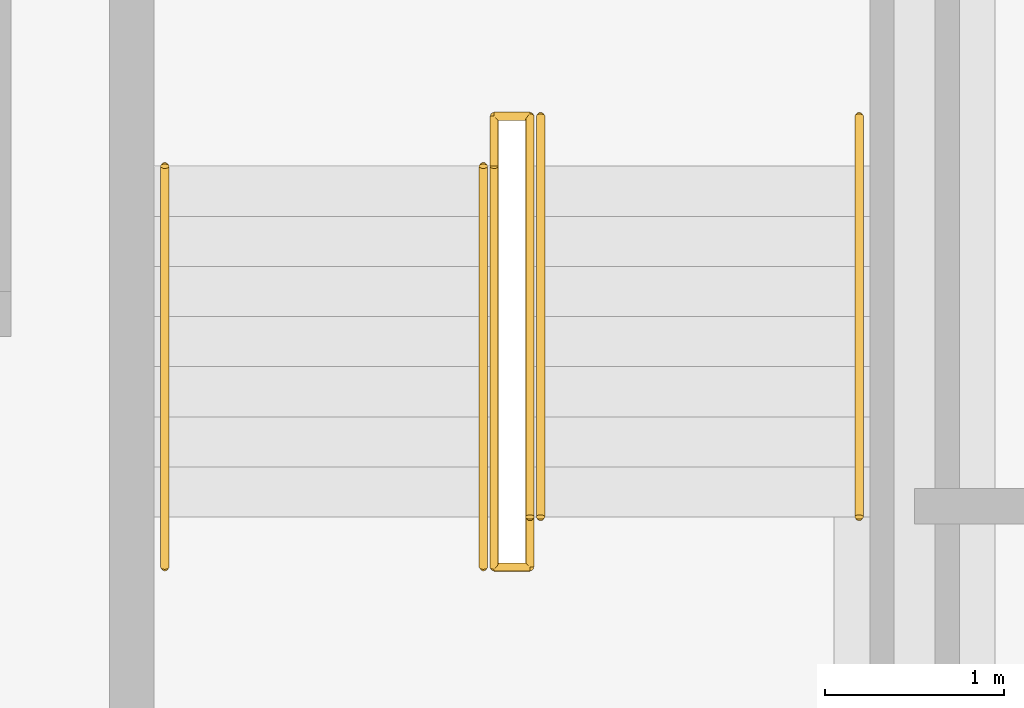
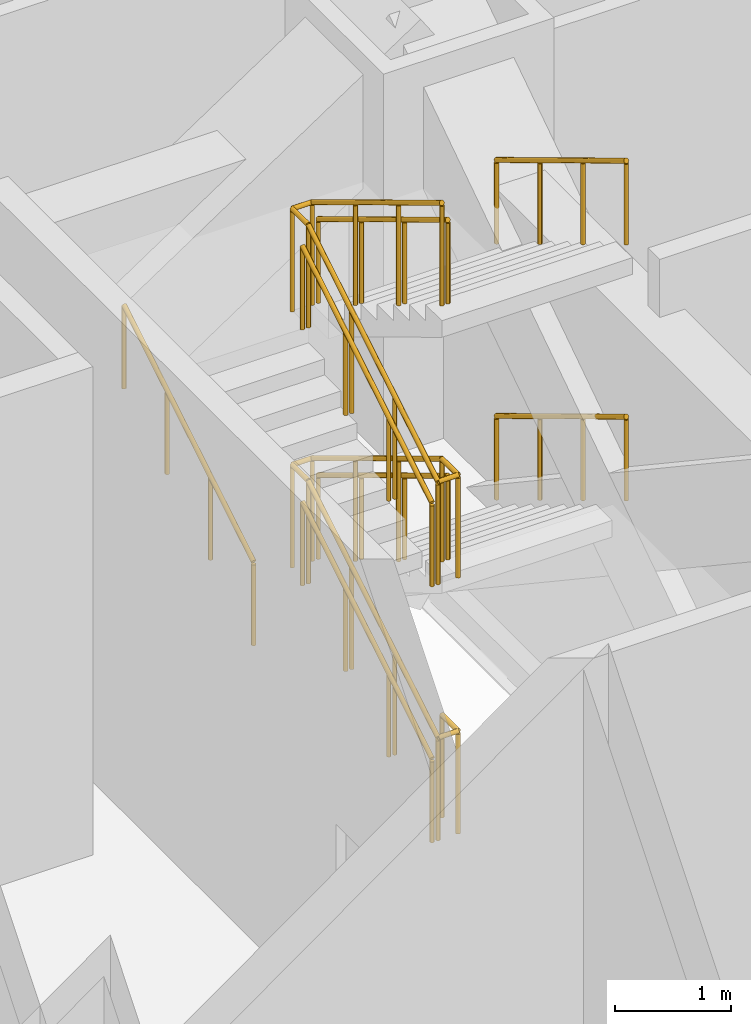
# One storey, part 25 of 26: 8 railings.
"""IFC4 building model written with IfcOpenShell, lengths in metres."""

from ifc_helpers import new_model, si_unit, direction, frame, origin, origin_2d, place, context, subcontext, project, spatial, circle, extrude, material, type_object, element, save


model = new_model("IFC4")

# Units and contexts
model_context = context("Model", 3, precision=1e-05, world=origin(), true_north=direction((0.0, 1.0)))
body_context = subcontext(model_context, "Body", "Model", "MODEL_VIEW")
ifc_project = project(units=[si_unit("LENGTHUNIT", "METRE"), si_unit("AREAUNIT", "SQUARE_METRE"), si_unit("VOLUMEUNIT", "CUBIC_METRE"), si_unit("PLANEANGLEUNIT", "RADIAN"), si_unit("MASSUNIT", "GRAM", prefix="KILO")], contexts=[model_context])

# Site, building, storey
site_placement = place(None, origin())
site = spatial("IfcSite", under=ifc_project, at=site_placement, CompositionType="ELEMENT")
building_placement = place(site_placement, origin())
building = spatial("IfcBuilding", under=site, at=building_placement, Name="Kopane Lantern Tower", CompositionType="ELEMENT")
storey_placement = place(building_placement, frame((0.0, 0.0, 16.800048828125)))
storey = spatial("IfcBuildingStorey", under=building, at=storey_placement, Name="L03", CompositionType="ELEMENT", Elevation=16.800048828125)

# Railings
ifc_material_1 = material(Name="Steel", Category="steel")
railing_type_1 = type_object("IfcRailingType", Name="STAIR GUARD 1100", PredefinedType="GUARDRAIL", material=ifc_material_1)
railing_1_placement = place(storey_placement, frame((38.35009765625, 36.389892578125, 0.0)))
element("IfcRailing", 1, at=railing_1_placement, inside=storey, type_object=railing_type_1, Name="ST2 well guard L03", PredefinedType="GUARDRAIL", context=body_context, shape_type="SweptSolid", body=[
    extrude(circle(Radius=0.02392578125, at=origin_2d()), frame((0.0, 0.0, 1.076171875), z_axis=(0.0, -1.0, 0.0), x_axis=(1.0, 0.0, 0.0)), (0.0, 0.0, 1.0), 0.27978515625),
    extrude(circle(Radius=0.02392578125, at=origin_2d()), frame((0.0, -0.27978515625, 1.076171875), z_axis=(-1.0, 0.0, 0.0), x_axis=(0.0, -1.0, 0.0)), (0.0, 0.0, 1.0), 0.2001953125),
    extrude(circle(Radius=0.02392578125, at=origin_2d()), frame((-0.2001953125, -0.27978515625, 1.076171875), z_axis=(0.0, 0.856502912269, 0.516142190947), x_axis=(-1.0, 0.0, 0.0)), (0.0, 0.0, 1.0), 2.615234375),
    extrude(circle(Radius=0.02392578125, at=origin_2d()), frame((-0.2001953125, 1.960205078125, 2.42578125), z_axis=(0.0, 1.0, 0.0), x_axis=(-1.0, 0.0, 0.0)), (0.0, 0.0, 1.0), 0.27978515625),
    extrude(circle(Radius=0.02392578125, at=origin_2d()), frame((-0.2001953125, 2.239990234375, 2.42578125), z_axis=(1.0, 0.0, 0.0), x_axis=(0.0, 1.0, 0.0)), (0.0, 0.0, 1.0), 0.2001953125),
    extrude(circle(Radius=0.02392578125, at=origin_2d()), frame((0.0, 2.239990234375, 2.42578125), z_axis=(0.0, -0.856461642802, 0.516210668632), x_axis=(1.0, 0.0, 0.0)), (0.0, 0.0, 1.0), 2.615478515625),
    extrude(circle(Radius=0.02392578125, at=origin_2d()), frame((0.0, 0.0, 3.77587890625), z_axis=(0.0, -1.0, 0.0), x_axis=(1.0, 0.0, 0.0)), (0.0, 0.0, 1.0), 0.27978515625),
    extrude(circle(Radius=0.02392578125, at=origin_2d()), frame((0.0, -0.27978515625, 3.77587890625), z_axis=(-1.0, 0.0, 0.0), x_axis=(0.0, -1.0, 0.0)), (0.0, 0.0, 1.0), 0.2001953125),
    extrude(circle(Radius=0.02392578125, at=origin_2d()), frame((-0.2001953125, -0.27978515625, 3.77587890625), z_axis=(0.0, 0.856461642802, 0.516210668632), x_axis=(-1.0, 0.0, 0.0)), (0.0, 0.0, 1.0), 2.615478515625),
    extrude(circle(Radius=0.02392578125, at=origin_2d()), frame((-0.2001953125, 1.960205078125, 5.1259765625), z_axis=(0.0, 1.0, 0.0), x_axis=(-1.0, 0.0, 0.0)), (0.0, 0.0, 1.0), 0.27978515625),
    extrude(circle(Radius=0.02392578125, at=origin_2d()), frame((-0.2001953125, 2.239990234375, 5.1259765625), z_axis=(1.0, 0.0, 0.0), x_axis=(0.0, 1.0, 0.0)), (0.0, 0.0, 1.0), 0.2001953125),
    extrude(circle(Radius=0.02392578125, at=origin_2d()), frame((0.0, 2.239990234375, 5.1259765625), z_axis=(0.0, -0.856502912269, 0.516142190947), x_axis=(1.0, 0.0, 0.0)), (0.0, 0.0, 1.0), 2.615234375),
    extrude(circle(Radius=0.02099609375, at=origin_2d()), origin(), (0.0, 0.0, 1.0), 1.052001953125),
    extrude(circle(Radius=0.02099609375, at=origin_2d()), frame((0.0, -0.27978515625, 0.0)), (0.0, 0.0, 1.0), 1.052001953125),
    extrude(circle(Radius=0.02099609375, at=origin_2d()), frame((-0.2001953125, -0.27978515625, 0.0)), (0.0, 0.0, 1.0), 1.052001953125),
    extrude(circle(Radius=0.02099609375, at=origin_2d()), frame((-0.2001953125, 0.466796875, 0.449951171875)), (0.0, 0.0, 1.0), 1.052001953125),
    extrude(circle(Radius=0.02099609375, at=origin_2d()), frame((-0.2001953125, 1.213623046875, 0.89990234375)), (0.0, 0.0, 1.0), 1.052001953125),
    extrude(circle(Radius=0.02099609375, at=origin_2d()), frame((-0.2001953125, 1.960205078125, 1.349853515625)), (0.0, 0.0, 1.0), 1.052001953125),
    extrude(circle(Radius=0.02099609375, at=origin_2d()), frame((-0.2001953125, 2.239990234375, 1.349853515625)), (0.0, 0.0, 1.0), 1.052001953125),
    extrude(circle(Radius=0.02099609375, at=origin_2d()), frame((0.0, 2.239990234375, 1.349853515625)), (0.0, 0.0, 1.0), 1.052001953125),
    extrude(circle(Radius=0.02099609375, at=origin_2d()), frame((0.0, 1.493408203125, 1.7998046875)), (0.0, 0.0, 1.0), 1.052001953125),
    extrude(circle(Radius=0.02099609375, at=origin_2d()), frame((0.0, 0.74658203125, 2.25)), (0.0, 0.0, 1.0), 1.052001953125),
    extrude(circle(Radius=0.02099609375, at=origin_2d()), frame((0.0, 0.0, 2.699951171875)), (0.0, 0.0, 1.0), 1.052001953125),
    extrude(circle(Radius=0.02099609375, at=origin_2d()), frame((0.0, -0.27978515625, 2.699951171875)), (0.0, 0.0, 1.0), 1.052001953125),
    extrude(circle(Radius=0.02099609375, at=origin_2d()), frame((-0.2001953125, -0.27978515625, 2.699951171875)), (0.0, 0.0, 1.0), 1.052001953125),
    extrude(circle(Radius=0.02099609375, at=origin_2d()), frame((-0.2001953125, 0.466796875, 3.14990234375)), (0.0, 0.0, 1.0), 1.052001953125),
    extrude(circle(Radius=0.02099609375, at=origin_2d()), frame((-0.2001953125, 1.213623046875, 3.60009765625)), (0.0, 0.0, 1.0), 1.052001953125),
    extrude(circle(Radius=0.02099609375, at=origin_2d()), frame((-0.2001953125, 1.960205078125, 4.050048828125)), (0.0, 0.0, 1.0), 1.052001953125),
    extrude(circle(Radius=0.02099609375, at=origin_2d()), frame((-0.2001953125, 2.239990234375, 4.050048828125)), (0.0, 0.0, 1.0), 1.052001953125),
    extrude(circle(Radius=0.02099609375, at=origin_2d()), frame((0.0, 2.239990234375, 4.050048828125)), (0.0, 0.0, 1.0), 1.052001953125),
    extrude(circle(Radius=0.02099609375, at=origin_2d()), frame((0.0, 1.493408203125, 4.5)), (0.0, 0.0, 1.0), 1.052001953125),
    extrude(circle(Radius=0.02099609375, at=origin_2d()), frame((0.0, 0.74658203125, 4.949951171875)), (0.0, 0.0, 1.0), 1.052001953125),
    extrude(circle(Radius=0.02099609375, at=origin_2d()), frame((0.0, 0.0, 5.39990234375)), (0.0, 0.0, 1.0), 1.052001953125),
])
ifc_material_2 = material(Name="Steel", Category="steel")
railing_type_2 = type_object("IfcRailingType", Name="STAIR HANDRAIL 900", PredefinedType="HANDRAIL", material=ifc_material_2)
railing_2_placement = place(storey_placement, frame((38.090087890625, 36.110107421875, 0.0)))
element("IfcRailing", 2, at=railing_2_placement, inside=storey, type_object=railing_type_2, Name="ST2 handrail L03 flight 1", PredefinedType="HANDRAIL", context=body_context, shape_type="SweptSolid", body=[
    extrude(circle(Radius=0.02392578125, at=origin_2d()), frame((0.0, 0.0, 0.8759765625), z_axis=(0.0, 0.856502912269, 0.516142190947), x_axis=(-1.0, 0.0, 0.0)), (0.0, 0.0, 1.0), 2.615234375),
    extrude(circle(Radius=0.02099609375, at=origin_2d()), origin(), (0.0, 0.0, 1.0), 0.851806640625),
    extrude(circle(Radius=0.02099609375, at=origin_2d()), frame((0.0, 0.74658203125, 0.449951171875)), (0.0, 0.0, 1.0), 0.851806640625),
    extrude(circle(Radius=0.02099609375, at=origin_2d()), frame((0.0, 1.493408203125, 0.89990234375)), (0.0, 0.0, 1.0), 0.851806640625),
    extrude(circle(Radius=0.02099609375, at=origin_2d()), frame((0.0, 2.239990234375, 1.349853515625)), (0.0, 0.0, 1.0), 0.851806640625),
])
for number, where, name in (
    (3, (40.18994140625, 38.6298828125, 1.349853515625), "ST2 handrail L03 flight 2"),
    (4, (38.409912109375, 38.6298828125, 1.349853515625), "ST2 handrail L03 flight 2"),
):
    element("IfcRailing", number, at=place(storey_placement, frame(where)), inside=storey, type_object=railing_type_2, Name=name, PredefinedType="HANDRAIL", context=body_context, shape_type="SweptSolid", body=[
        extrude(circle(Radius=0.02392578125, at=origin_2d()), frame((0.0, 0.0, 0.8759765625), z_axis=(0.0, -0.856461642802, 0.516210668632), x_axis=(1.0, 0.0, 0.0)), (0.0, 0.0, 1.0), 2.615478515625),
        extrude(circle(Radius=0.02099609375, at=origin_2d()), origin(), (0.0, 0.0, 1.0), 0.851806640625),
        extrude(circle(Radius=0.02099609375, at=origin_2d()), frame((0.0, -0.74658203125, 0.449951171875)), (0.0, 0.0, 1.0), 0.851806640625),
        extrude(circle(Radius=0.02099609375, at=origin_2d()), frame((0.0, -1.493408203125, 0.900146484375)), (0.0, 0.0, 1.0), 0.851806640625),
        extrude(circle(Radius=0.02099609375, at=origin_2d()), frame((0.0, -2.239990234375, 1.35009765625)), (0.0, 0.0, 1.0), 0.851806640625),
    ])
for number, where, name in (
    (5, (36.31005859375, 36.110107421875, 2.699951171875), "ST2 handrail L03 flight 3"),
    (6, (38.090087890625, 36.110107421875, 2.699951171875), "ST2 handrail L03 flight 3"),
):
    element("IfcRailing", number, at=place(storey_placement, frame(where)), inside=storey, type_object=railing_type_2, Name=name, PredefinedType="HANDRAIL", context=body_context, shape_type="SweptSolid", body=[
        extrude(circle(Radius=0.02392578125, at=origin_2d()), frame((0.0, 0.0, 0.8759765625), z_axis=(0.0, 0.856461642802, 0.516210668632), x_axis=(-1.0, 0.0, 0.0)), (0.0, 0.0, 1.0), 2.615478515625),
        extrude(circle(Radius=0.02099609375, at=origin_2d()), origin(), (0.0, 0.0, 1.0), 0.851806640625),
        extrude(circle(Radius=0.02099609375, at=origin_2d()), frame((0.0, 0.74658203125, 0.449951171875)), (0.0, 0.0, 1.0), 0.851806640625),
        extrude(circle(Radius=0.02099609375, at=origin_2d()), frame((0.0, 1.493408203125, 0.900146484375)), (0.0, 0.0, 1.0), 0.851806640625),
        extrude(circle(Radius=0.02099609375, at=origin_2d()), frame((0.0, 2.239990234375, 1.35009765625)), (0.0, 0.0, 1.0), 0.851806640625),
    ])
for number, where, name in (
    (7, (40.18994140625, 38.6298828125, 4.050048828125), "ST2 handrail L03 flight 4"),
    (8, (38.409912109375, 38.6298828125, 4.050048828125), "ST2 handrail L03 flight 4"),
):
    element("IfcRailing", number, at=place(storey_placement, frame(where)), inside=storey, type_object=railing_type_2, Name=name, PredefinedType="HANDRAIL", context=body_context, shape_type="SweptSolid", body=[
        extrude(circle(Radius=0.02392578125, at=origin_2d()), frame((0.0, 0.0, 0.8759765625), z_axis=(0.0, -0.856502912269, 0.516142190947), x_axis=(1.0, 0.0, 0.0)), (0.0, 0.0, 1.0), 2.615234375),
        extrude(circle(Radius=0.02099609375, at=origin_2d()), origin(), (0.0, 0.0, 1.0), 0.851806640625),
        extrude(circle(Radius=0.02099609375, at=origin_2d()), frame((0.0, -0.74658203125, 0.449951171875)), (0.0, 0.0, 1.0), 0.851806640625),
        extrude(circle(Radius=0.02099609375, at=origin_2d()), frame((0.0, -1.493408203125, 0.89990234375)), (0.0, 0.0, 1.0), 0.851806640625),
        extrude(circle(Radius=0.02099609375, at=origin_2d()), frame((0.0, -2.239990234375, 1.349853515625)), (0.0, 0.0, 1.0), 0.851806640625),
    ])

save(model, "model.ifc")
